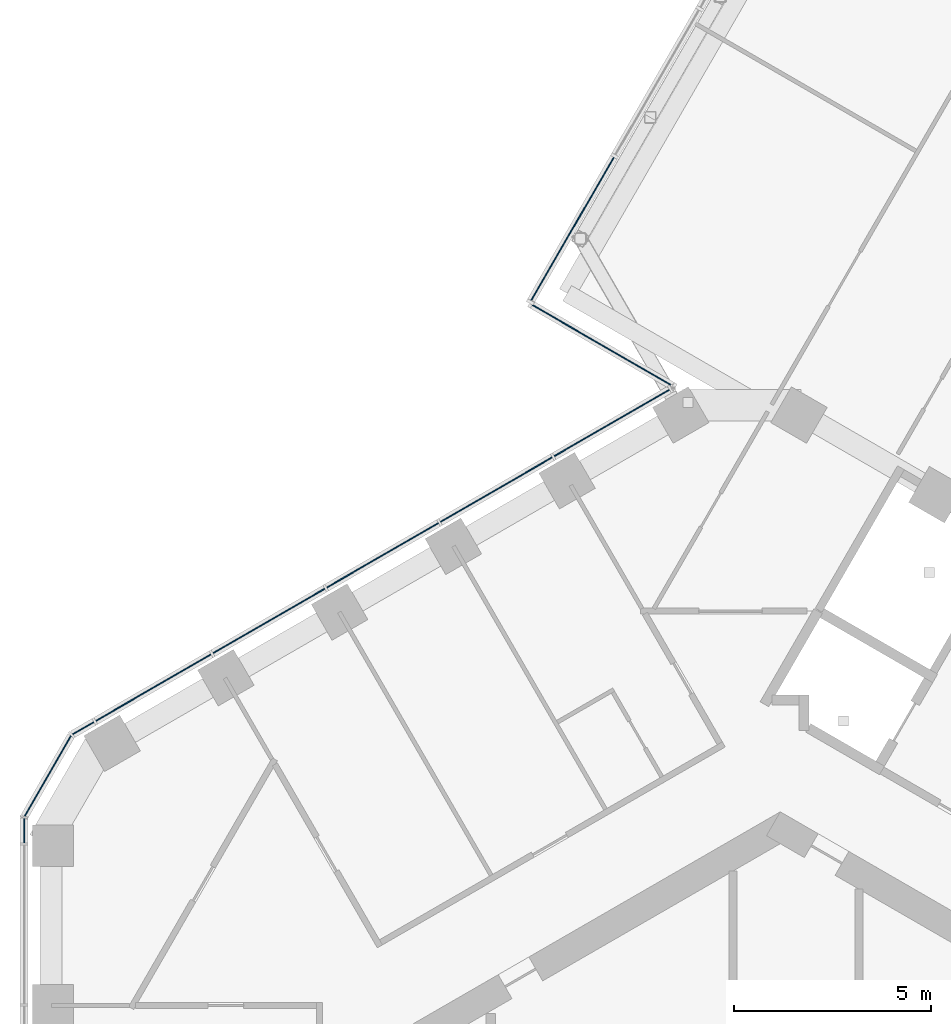
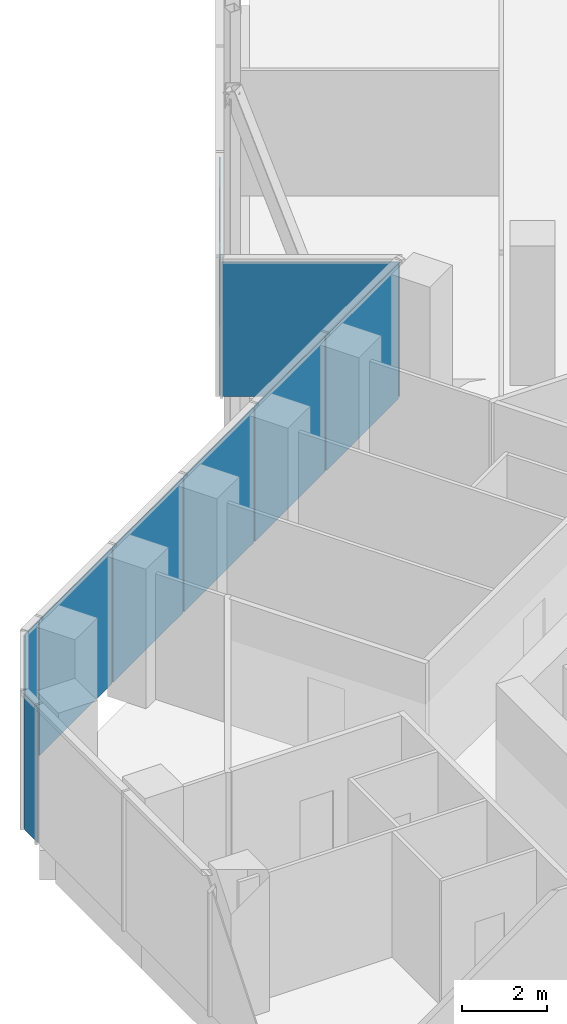
# One storey, part 16 of 25: 10 plates, 4 elements without a shape of their own.
"""IFC4 building model written with IfcOpenShell, lengths in metres."""

from ifc_helpers import new_model, si_unit, direction, frame, origin, origin_2d, place, context, subcontext, project, spatial, rectangle, extrude, material, layer, layer_set, type_object, element, aggregate, save


model = new_model("IFC4")

# Units and contexts
model_context = context("Model", 3, precision=1e-05, world=origin(), true_north=direction((0.0, 1.0)))
body_context = subcontext(model_context, "Body", "Model", "MODEL_VIEW")
ifc_project = project(units=[si_unit("LENGTHUNIT", "METRE"), si_unit("AREAUNIT", "SQUARE_METRE"), si_unit("VOLUMEUNIT", "CUBIC_METRE"), si_unit("PLANEANGLEUNIT", "RADIAN"), si_unit("MASSUNIT", "GRAM", prefix="KILO")], contexts=[model_context])

# Site, building, storey
site_placement = place(None, origin())
site = spatial("IfcSite", under=ifc_project, at=site_placement, CompositionType="ELEMENT")
building_placement = place(site_placement, origin())
building = spatial("IfcBuilding", under=site, at=building_placement, Name="Ayvan Gate Tower", CompositionType="ELEMENT")
storey_placement = place(building_placement, frame((0.0, 0.0, 139.89990234375)))
storey = spatial("IfcBuildingStorey", under=building, at=storey_placement, Name="L37", CompositionType="ELEMENT", Elevation=139.89990234375)

# Curtain wall, plates
ifc_material_1 = material(Name="Bronze anodised aluminium", Category="aluminium")
ifc_layer_1 = layer(ifc_material_1, 0.199951171875)
ifc_layer_set_1 = layer_set([ifc_layer_1], Name="Bronze anodised aluminium")
curtain_wall_type_1 = type_object("IfcCurtainWallType", Name="Stick curtain wall CW-1", PredefinedType="NOTDEFINED", material=ifc_layer_set_1)
curtain_wall_1_placement = place(storey_placement, origin())
curtain_wall_1 = element("IfcCurtainWall", 1, at=curtain_wall_1_placement, inside=storey, type_object=curtain_wall_type_1, Name="Stick curtain wall CW-1 L37", PredefinedType="NOTDEFINED")
ifc_material_2 = material(Name="Clear low-iron laminated glass", Category="glass")
ifc_layer_2 = layer(ifc_material_2, 0.028076171875)
ifc_layer_set_2 = layer_set([ifc_layer_2], Name="Clear low-iron laminated glass")
plate_type_1 = type_object("IfcPlateType", Name="Stick curtain wall CW-1 glass panel", PredefinedType="CURTAIN_PANEL", material=ifc_layer_set_2)
plate_1_placement = place(storey_placement, frame((-7.20654296875, 19.147705078125, 0.000244140625), z_axis=(0.0, 0.0, 1.0), x_axis=(-0.866025403784, -0.5, 0.0)))
plate_1 = element("IfcPlate", 2, at=plate_1_placement, type_object=plate_type_1, Name="CW-1 glass panel 2", PredefinedType="CURTAIN_PANEL", context=body_context, shape_type="SweptSolid", body=[
    extrude(rectangle(XDim=3.27294921875, YDim=0.028076171875, at=origin_2d()), origin(), (0.0, 0.0, 1.0), 3.8798828125),
])
plate_2_placement = place(storey_placement, frame((-10.093017578125, 17.481201171875, 0.000244140625), z_axis=(0.0, 0.0, 1.0), x_axis=(-0.866025403784, -0.5, 0.0)))
plate_2 = element("IfcPlate", 3, at=plate_2_placement, type_object=plate_type_1, Name="CW-1 glass panel 3", PredefinedType="CURTAIN_PANEL", context=body_context, shape_type="SweptSolid", body=[
    extrude(rectangle(XDim=3.27294921875, YDim=0.028076171875, at=origin_2d()), origin(), (0.0, 0.0, 1.0), 3.8798828125),
])
plate_3_placement = place(storey_placement, frame((-12.9794921875, 15.814697265625, 0.000244140625), z_axis=(0.0, 0.0, 1.0), x_axis=(-0.866025403784, -0.5, 0.0)))
plate_3 = element("IfcPlate", 4, at=plate_3_placement, type_object=plate_type_1, Name="CW-1 glass panel 4", PredefinedType="CURTAIN_PANEL", context=body_context, shape_type="SweptSolid", body=[
    extrude(rectangle(XDim=3.27294921875, YDim=0.028076171875, at=origin_2d()), origin(), (0.0, 0.0, 1.0), 3.8798828125),
])
plate_4_placement = place(storey_placement, frame((-15.92333984375, 14.114990234375, 0.000244140625), z_axis=(0.0, 0.0, 1.0), x_axis=(-0.866025403784, -0.5, 0.0)))
plate_4 = element("IfcPlate", 5, at=plate_4_placement, type_object=plate_type_1, Name="CW-1 glass panel 5", PredefinedType="CURTAIN_PANEL", context=body_context, shape_type="SweptSolid", body=[
    extrude(rectangle(XDim=3.405517578125, YDim=0.028076171875, at=origin_2d()), origin(), (0.0, 0.0, 1.0), 3.8798828125),
])
ifc_material_3 = material(Name="Pale anodised aluminium composite panel", Category="aluminium")
ifc_layer_3 = layer(ifc_material_3, 0.028076171875)
ifc_layer_set_3 = layer_set([ifc_layer_3], Name="Pale anodised aluminium composite panel")
plate_type_2 = type_object("IfcPlateType", Name="Stick curtain wall CW-1 solid panel", PredefinedType="CURTAIN_PANEL", material=ifc_layer_set_3)
plate_5_placement = place(storey_placement, frame((-4.262451171875, 20.847412109375, 0.000244140625), z_axis=(0.0, 0.0, 1.0), x_axis=(-0.866025403784, -0.5, 0.0)))
plate_5 = element("IfcPlate", 6, at=plate_5_placement, type_object=plate_type_2, Name="CW-1 solid panel 1", PredefinedType="CURTAIN_PANEL", context=body_context, shape_type="SweptSolid", body=[
    extrude(rectangle(XDim=3.406005859375, YDim=0.028076171875, at=origin_2d()), origin(), (0.0, 0.0, 1.0), 3.8798828125),
])
aggregate(curtain_wall_1, [plate_5, plate_1, plate_2, plate_3, plate_4])

# Curtain wall, plate
ifc_layer_4 = layer(ifc_material_1, 0.199951171875)
ifc_layer_set_4 = layer_set([ifc_layer_4], Name="Bronze anodised aluminium")
curtain_wall_type_2 = type_object("IfcCurtainWallType", Name="Stick curtain wall CW-4", PredefinedType="NOTDEFINED", material=ifc_layer_set_4)
curtain_wall_2_placement = place(storey_placement, origin())
curtain_wall_2 = element("IfcCurtainWall", 7, at=curtain_wall_2_placement, inside=storey, type_object=curtain_wall_type_2, Name="Stick curtain wall CW-4 L37", PredefinedType="NOTDEFINED")
ifc_layer_5 = layer(ifc_material_3, 0.028076171875)
ifc_layer_set_5 = layer_set([ifc_layer_5], Name="Pale anodised aluminium composite panel")
plate_type_3 = type_object("IfcPlateType", Name="Stick curtain wall CW-4 solid panel", PredefinedType="CURTAIN_PANEL", material=ifc_layer_set_5)
plate_6_placement = place(storey_placement, frame((-5.28564453125, 25.744873046875, 0.0), z_axis=(0.0, 0.0, 1.0), x_axis=(-0.5, -0.866025403784, 0.0)))
plate_6 = element("IfcPlate", 8, at=plate_6_placement, type_object=plate_type_3, Name="CW-4 solid panel 4", PredefinedType="CURTAIN_PANEL", context=body_context, shape_type="SweptSolid", body=[
    extrude(rectangle(XDim=4.237548828125, YDim=0.028076171875, at=origin_2d()), origin(), (0.0, 0.0, 1.0), 3.860107421875),
])
aggregate(curtain_wall_2, [plate_6])

curtain_wall_3_placement = place(storey_placement, origin())
curtain_wall_3 = element("IfcCurtainWall", 9, at=curtain_wall_3_placement, inside=storey, type_object=curtain_wall_type_2, Name="Stick curtain wall CW-4 L37", PredefinedType="NOTDEFINED")
plate_7_placement = place(storey_placement, frame((-4.515380859375, 22.807373046875, 0.0), z_axis=(0.0, 0.0, 1.0), x_axis=(0.866025403784, -0.5, 0.0)))
plate_7 = element("IfcPlate", 10, at=plate_7_placement, type_object=plate_type_3, Name="CW-4 solid panel 1", PredefinedType="CURTAIN_PANEL", context=body_context, shape_type="SweptSolid", body=[
    extrude(rectangle(XDim=4.191650390625, YDim=0.028076171875, at=origin_2d()), origin(), (0.0, 0.0, 1.0), 3.860107421875),
])
aggregate(curtain_wall_3, [plate_7])

# Curtain wall, plates
ifc_layer_6 = layer(ifc_material_1, 0.199951171875)
ifc_layer_set_6 = layer_set([ifc_layer_6], Name="Bronze anodised aluminium")
curtain_wall_type_3 = type_object("IfcCurtainWallType", Name="Stick curtain wall CW-6", PredefinedType="NOTDEFINED", material=ifc_layer_set_6)
curtain_wall_4_placement = place(storey_placement, origin())
curtain_wall_4 = element("IfcCurtainWall", 11, at=curtain_wall_4_placement, inside=storey, type_object=curtain_wall_type_3, Name="Stick curtain wall CW-6 L37", PredefinedType="NOTDEFINED")
ifc_layer_7 = layer(ifc_material_2, 0.028076171875)
ifc_layer_set_7 = layer_set([ifc_layer_7], Name="Clear low-iron laminated glass")
plate_type_4 = type_object("IfcPlateType", Name="Stick curtain wall CW-6 glass panel", PredefinedType="CURTAIN_PANEL", material=ifc_layer_set_7)
plate_8_placement = place(storey_placement, frame((-17.694580078125, 13.09228515625, 0.000244140625), z_axis=(0.0, 0.0, 1.0), x_axis=(-0.866025403784, -0.5, 0.0)))
plate_8 = element("IfcPlate", 12, at=plate_8_placement, type_object=plate_type_4, Name="CW-6 glass panel 1", PredefinedType="CURTAIN_PANEL", context=body_context, shape_type="SweptSolid", body=[
    extrude(rectangle(XDim=0.625, YDim=0.028076171875, at=origin_2d()), origin(), (0.0, 0.0, 1.0), 3.8798828125),
])
plate_9_placement = place(storey_placement, frame((-18.590576171875, 11.8779296875, 0.000244140625), z_axis=(0.0, 0.0, 1.0), x_axis=(-0.5, -0.866025403784, 0.0)))
plate_9 = element("IfcPlate", 13, at=plate_9_placement, type_object=plate_type_4, Name="CW-6 glass panel 2", PredefinedType="CURTAIN_PANEL", context=body_context, shape_type="SweptSolid", body=[
    extrude(rectangle(XDim=2.364501953125, YDim=0.028076171875, at=origin_2d()), origin(), (0.0, 0.0, 1.0), 3.8798828125),
])
plate_10_placement = place(storey_placement, frame((-19.194091796875, 10.4951171875, 0.000244140625), z_axis=(0.0, 0.0, 1.0), x_axis=(0.0, -1.0, 0.0)))
plate_10 = element("IfcPlate", 14, at=plate_10_placement, type_object=plate_type_4, Name="CW-6 glass panel 3", PredefinedType="CURTAIN_PANEL", context=body_context, shape_type="SweptSolid", body=[
    extrude(rectangle(XDim=0.625, YDim=0.028076171875, at=origin_2d()), origin(), (0.0, 0.0, 1.0), 3.8798828125),
])
aggregate(curtain_wall_4, [plate_8, plate_9, plate_10])

save(model, "model.ifc")
